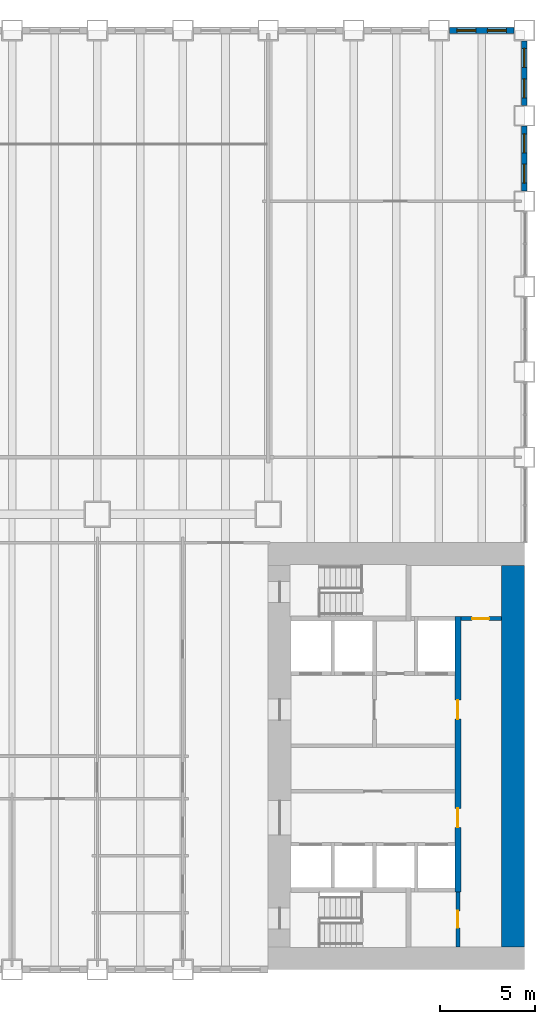
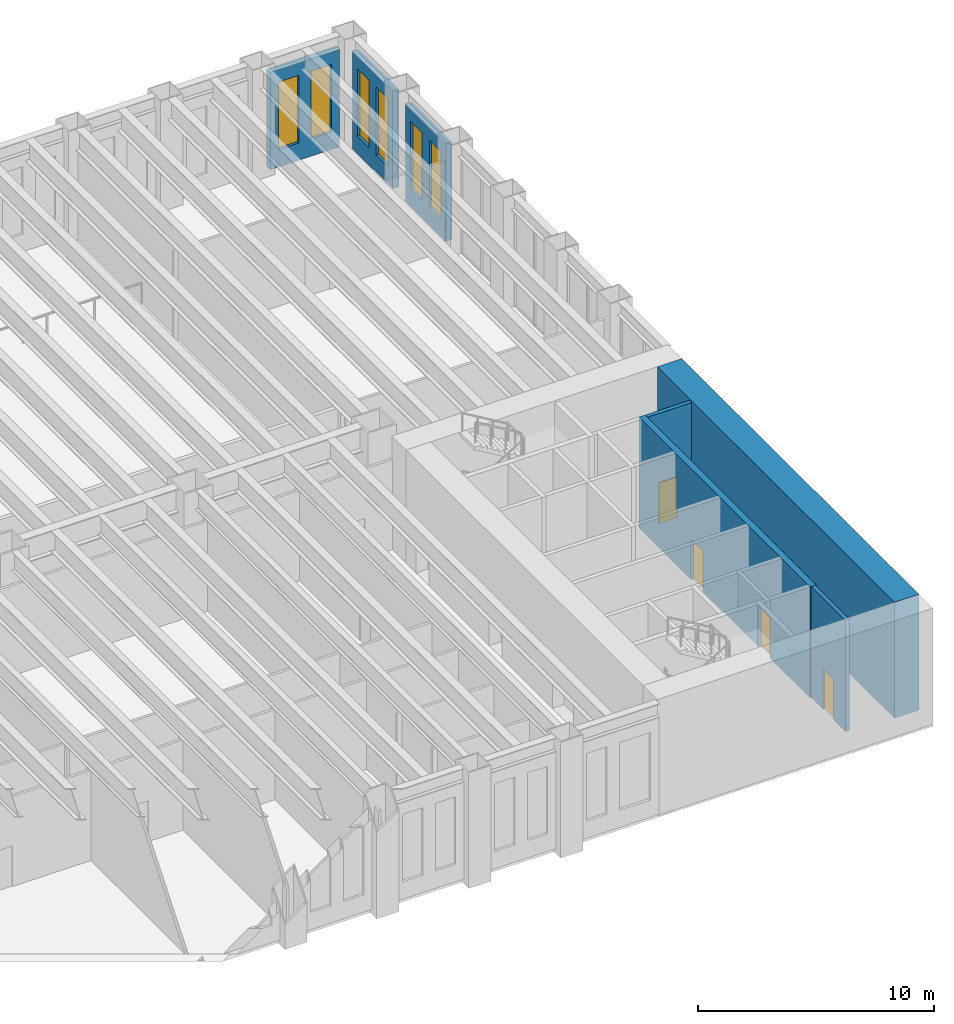
# One storey, part 14 of 19: 7 walls, 6 windows, 4 doors, 10 openings.
"""IFC4 building model written with IfcOpenShell, lengths in metres."""

import ifcopenshell
import ifcopenshell.guid

model = None  # the IFC model being written
_history = None  # IfcOwnerHistory: only IFC2X3 demands one
_inside = {}  # id of a spatial element -> (the spatial element, [elements in it])
_under = {}  # id of a project, library or spatial element -> (it, [spatial elements below it])
_declared = {}  # id of a project -> (the project, [libraries it declares])
_typed = {}  # id of a type object -> (the type object, [elements of that type])
_made_of = {}  # id of a material, layer set ... -> (it, [elements and type objects made of it])


def new_model(schema):
    """Start an empty IFC model of exactly this schema.

    Asked for "IFC4X3", IfcOpenShell would pick the latest addendum, in which some entities
    have other attributes; the version numbers below select the first issue.
    IFC2X3 requires an IfcOwnerHistory on every rooted entity: one is made here for all.
    """
    global model, _history
    if schema == "IFC4X3":
        model = ifcopenshell.file(schema_version=(4, 3, 0, 0))
    else:
        model = ifcopenshell.file(schema=schema)
    _inside.clear()
    _under.clear()
    _declared.clear()
    _typed.clear()
    _made_of.clear()
    _history = None
    if model.schema == "IFC2X3":
        org = make("IfcOrganization", Name="unknown")
        user = make(
            "IfcPersonAndOrganization",
            ThePerson=make("IfcPerson", FamilyName="unknown"),
            TheOrganization=org,
        )
        app = make(
            "IfcApplication",
            ApplicationDeveloper=org,
            Version="unknown",
            ApplicationFullName="unknown",
            ApplicationIdentifier="unknown",
        )
        _history = make(
            "IfcOwnerHistory",
            OwningUser=user,
            OwningApplication=app,
            ChangeAction="ADDED",
            CreationDate=0,
        )
    return model


def make(cls, **values):
    """One entity of the class cls with the attributes given. An attribute that is None is left unset."""
    return model.create_entity(
        cls, **{name: value for name, value in values.items() if value is not None}
    )


def rooted(cls, **values):
    """An entity with a GlobalId (a new one), such as an element, a storey or a relation."""
    return make(cls, GlobalId=ifcopenshell.guid.new(), OwnerHistory=_history, **values)


def si_unit(unit_type, name, prefix=None):
    """IfcSIUnit, for example si_unit("LENGTHUNIT", "METRE", prefix="MILLI")."""
    return make("IfcSIUnit", UnitType=unit_type, Prefix=prefix, Name=name)


def assignment(units):
    """IfcUnitAssignment: the units of a project."""
    return None if units is None else make("IfcUnitAssignment", Units=units)


def point(xyz):
    """IfcCartesianPoint."""
    return None if xyz is None else make("IfcCartesianPoint", Coordinates=xyz)


def direction(xyz):
    """IfcDirection."""
    return None if xyz is None else make("IfcDirection", DirectionRatios=xyz)


def frame(location, z_axis=None, x_axis=None):
    """IfcAxis2Placement3D, a coordinate frame: its origin and axes. An axis left out is left unset."""
    return make(
        "IfcAxis2Placement3D",
        Location=point(location),
        Axis=direction(z_axis),
        RefDirection=direction(x_axis),
    )


def frame_2d(location, x_axis=None):
    """IfcAxis2Placement2D, a coordinate frame in the plane: its origin and x axis."""
    return make(
        "IfcAxis2Placement2D", Location=point(location), RefDirection=direction(x_axis)
    )


def origin():
    """The frame at (0, 0, 0) with its axes left unset."""
    return frame((0.0, 0.0, 0.0))


def place(relative_to, where):
    """IfcLocalPlacement: puts the frame where relative to a parent placement (None: the world)."""
    return make(
        "IfcLocalPlacement", PlacementRelTo=relative_to, RelativePlacement=where
    )


def context(
    kind, dimensions, precision=None, world=None, true_north=None, identifier=None
):
    """IfcGeometricRepresentationContext, for example the 3D "Model" context."""
    return make(
        "IfcGeometricRepresentationContext",
        ContextIdentifier=identifier,
        ContextType=kind,
        CoordinateSpaceDimension=dimensions,
        Precision=precision,
        WorldCoordinateSystem=world,
        TrueNorth=true_north,
    )


def subcontext(parent, identifier, kind, view, scale=None):
    """IfcGeometricRepresentationSubContext, for example "Body" below "Model"."""
    return make(
        "IfcGeometricRepresentationSubContext",
        ContextIdentifier=identifier,
        ContextType=kind,
        ParentContext=parent,
        TargetScale=scale,
        TargetView=view,
    )


def project(units=None, contexts=None):
    """IfcProject with its units and contexts."""
    return rooted(
        "IfcProject",
        Name="project",
        RepresentationContexts=contexts,
        UnitsInContext=assignment(units),
    )


def spatial(cls, under=None, at=None, **own):
    """A site, building, storey or space (cls), placed at a placement, below another one or the project."""
    s = rooted(cls, ObjectPlacement=at, **own)
    if under is not None:
        _under.setdefault(under.id(), (under, []))[1].append(s)
    return s


def profile(cls, at=None, kind="AREA", **sizes):
    """A parametric profile (cls). Its sizes go by their IFC names, for example OverallWidth=200.0."""
    return make(cls, ProfileType=kind, Position=at, **sizes)


def rectangle(**sizes):
    """IfcRectangleProfileDef."""
    return profile("IfcRectangleProfileDef", **sizes)


def extrude(swept, where, along, depth):
    """IfcExtrudedAreaSolid: the profile swept, set in the frame where, extruded along a direction by depth."""
    return make(
        "IfcExtrudedAreaSolid",
        SweptArea=swept,
        Position=where,
        ExtrudedDirection=direction(along),
        Depth=depth,
    )


def shape(context_of_items, identifier, shape_type, items):
    """IfcShapeRepresentation: the items that make up one representation, for example the "Body"."""
    return make(
        "IfcShapeRepresentation",
        ContextOfItems=context_of_items,
        RepresentationIdentifier=identifier,
        RepresentationType=shape_type,
        Items=items,
    )


def material(Name=None, Category=None):
    """IfcMaterial."""
    return make("IfcMaterial", Name=Name, Category=Category)


def layer(
    of_material, thickness, ventilated=None, Name=None, Category=None, Priority=None
):
    """IfcMaterialLayer: one layer of a wall or slab, of a material (None: an air gap)."""
    return make(
        "IfcMaterialLayer",
        Material=of_material,
        LayerThickness=thickness,
        IsVentilated=ventilated,
        Name=Name,
        Category=Category,
        Priority=Priority,
    )


def layer_set(layers, Name=None):
    """IfcMaterialLayerSet."""
    return make("IfcMaterialLayerSet", MaterialLayers=layers, LayerSetName=Name)


def made_of(thing, what):
    """Note that an element or type object is made of a material, layer set ...; save() writes the relation."""
    if what is not None:
        _made_of.setdefault(what.id(), (what, []))[1].append(thing)
    return thing


def type_object(cls, material=None, **own):
    """A type object (cls), such as IfcWallType, which elements share."""
    return made_of(rooted(cls, **own), material)


def element(
    cls,
    number,
    at=None,
    inside=None,
    cuts=None,
    type_object=None,
    material=None,
    context=None,
    identifier="Body",
    shape_type=None,
    held_by="IfcProductDefinitionShape",
    body=None,
    shapes=None,
    **own,
):
    """One element of the class cls, such as IfcWall. Its Tag is "e" and its number.

    at: its placement. inside: the storey or other place that contains it. cuts: it is an
    opening in that element (IfcRelVoidsElement). A single representation is given by context,
    identifier, shape_type and body (its items); several are given by shapes. held_by: the class
    of the entity that holds the representations. save() writes the other relations.
    """
    e = rooted(cls, Tag="e%d" % number, ObjectPlacement=at, **own)
    if body is not None:
        shapes = [shape(context, identifier, shape_type, body)]
    if shapes is not None:
        e.Representation = make(held_by, Representations=shapes)
    if inside is not None:
        _inside.setdefault(inside.id(), (inside, []))[1].append(e)
    if cuts is not None:
        rooted(
            "IfcRelVoidsElement", RelatingBuildingElement=cuts, RelatedOpeningElement=e
        )
    if type_object is not None:
        _typed.setdefault(type_object.id(), (type_object, []))[1].append(e)
    return made_of(e, material)


def fill(opening, filler):
    """IfcRelFillsElement: the door or window that sits in an opening."""
    return rooted(
        "IfcRelFillsElement",
        RelatingOpeningElement=opening,
        RelatedBuildingElement=filler,
    )


def aggregate(whole, parts):
    """IfcRelAggregates: a whole, such as a stair, and the parts it consists of."""
    return rooted("IfcRelAggregates", RelatingObject=whole, RelatedObjects=parts)


def save(model, path):
    """Write the relations noted so far, then the file.

    IfcRelAggregates (storeys below a building ...), IfcRelContainedInSpatialStructure (elements
    in a storey), IfcRelDefinesByType, IfcRelAssociatesMaterial and IfcRelDeclares: one each for
    every whole, place, type object, material and project.
    """
    for whole, parts in _under.values():
        aggregate(whole, parts)
    for where, things in _inside.values():
        rooted(
            "IfcRelContainedInSpatialStructure",
            RelatedElements=things,
            RelatingStructure=where,
        )
    for kind, things in _typed.values():
        rooted("IfcRelDefinesByType", RelatedObjects=things, RelatingType=kind)
    for what, things in _made_of.values():
        rooted("IfcRelAssociatesMaterial", RelatedObjects=things, RelatingMaterial=what)
    for by, libraries in _declared.values():
        rooted("IfcRelDeclares", RelatingContext=by, RelatedDefinitions=libraries)
    model.write(path)


model = new_model("IFC4")

# Units and contexts
model_context = context("Model", 3, precision=1e-05, world=origin(), true_north=direction((0.0, 1.0)))
body_context = subcontext(model_context, "Body", "Model", "MODEL_VIEW")
ifc_project = project(units=[si_unit("LENGTHUNIT", "METRE"), si_unit("AREAUNIT", "SQUARE_METRE"), si_unit("VOLUMEUNIT", "CUBIC_METRE"), si_unit("PLANEANGLEUNIT", "RADIAN"), si_unit("MASSUNIT", "GRAM", prefix="KILO")], contexts=[model_context])

# Site, building, storey
site_placement = place(None, origin())
site = spatial("IfcSite", under=ifc_project, at=site_placement, CompositionType="ELEMENT")
building_placement = place(site_placement, origin())
building = spatial("IfcBuilding", under=site, at=building_placement, Name="Sennacour Bend Tower", CompositionType="ELEMENT")
storey_placement = place(building_placement, frame((0.0, 0.0, 8.0)))
storey = spatial("IfcBuildingStorey", under=building, at=storey_placement, Name="L01", CompositionType="ELEMENT", Elevation=8.0)

# Wall
ifc_material_1 = material(Name="Concrete C80/95", Category="concrete")
ifc_layer_1 = layer(ifc_material_1, 1.199951171875, Name="Concrete C80/95", Category="concrete")
ifc_layer_set_1 = layer_set([ifc_layer_1], Name="Concrete C80/95")
wall_type_1 = type_object("IfcWallType", Name="Core wall 1200 C80/95", PredefinedType="SHEAR", material=ifc_layer_set_1)
wall_1_placement = place(storey_placement, frame((66.89990234375, 1.199951171875, -0.14990234375), z_axis=(0.0, 0.0, 1.0), x_axis=(0.0, 1.0, 0.0)))
element("IfcWall", 1, at=wall_1_placement, inside=storey, type_object=wall_type_1, Name="Core A wall L01 E", PredefinedType="SHEAR", context=body_context, shape_type="SweptSolid", body=[
    extrude(rectangle(XDim=20.10009765625, YDim=1.199951171875, at=frame_2d((10.050048828125, 0.0))), origin(), (0.0, 0.0, 1.0), 6.0),
])

# Wall, opening, door
ifc_material_2 = material(Name="Fire-rated plasterboard partition on steel studs", Category="steel")
ifc_layer_2 = layer(ifc_material_2, 0.199951171875, Name="Fire-rated plasterboard partition on steel studs", Category="steel")
ifc_layer_set_2 = layer_set([ifc_layer_2], Name="Fire-rated plasterboard partition on steel studs")
wall_type_2 = type_object("IfcWallType", Name="Rated partition 200", PredefinedType="PARTITIONING", material=ifc_layer_set_2)
wall_2_placement = place(storey_placement, frame((64.0, 1.199951171875, 0.0), z_axis=(0.0, 0.0, 1.0), x_axis=(0.0, 1.0, 0.0)))
wall_2 = element("IfcWall", 2, at=wall_2_placement, inside=storey, type_object=wall_type_2, Name="P-L01-W039", PredefinedType="PARTITIONING", context=body_context, shape_type="SweptSolid", body=[
    extrude(rectangle(XDim=2.900146484375, YDim=0.199951171875, at=frame_2d((1.4501953125, 0.0))), origin(), (0.0, 0.0, 1.0), 5.75),
])
opening_1_placement = place(wall_2_placement, frame((1.0, 0.0, 0.0)))
opening_1 = element("IfcOpeningElement", 3, at=opening_1_placement, cuts=wall_2, Name="Opening SV", PredefinedType="OPENING", context=body_context, shape_type="SweptSolid", body=[
    extrude(rectangle(XDim=0.89990234375, YDim=2.10009765625, at=frame_2d((0.449951171875, 1.050048828125))), frame((0.0, 0.10986328125, 0.0), z_axis=(0.0, -1.0, 0.0), x_axis=(1.0, 0.0, 0.0)), (0.0, 0.0, 1.0), 0.219970703125),
])
ifc_material_3 = material(Name="Painted steel", Category="steel")
door_type_1 = type_object("IfcDoorType", Name="DR-SERVICE-900", OperationType="NOTDEFINED", PredefinedType="DOOR", material=ifc_material_3)
door_1_placement = place(opening_1_placement, origin())
door_1 = element("IfcDoor", 4, at=door_1_placement, inside=storey, type_object=door_type_1, Name="Door", OperationType="SINGLE_SWING_LEFT", OverallHeight=2.10009765625, OverallWidth=0.89990234375, PredefinedType="DOOR", context=body_context, shape_type="SweptSolid", body=[
    extrude(rectangle(XDim=0.89990234375, YDim=2.10009765625, at=frame_2d((0.449951171875, 1.050048828125))), frame((0.0, 0.02490234375, 0.0), z_axis=(0.0, -1.0, 0.0), x_axis=(1.0, 0.0, 0.0)), (0.0, 0.0, 1.0), 0.050048828125),
])
fill(opening_1, door_1)

wall_3_placement = place(storey_placement, frame((64.14990234375, 18.5, 0.0), z_axis=(0.0, 0.0, 1.0), x_axis=(1.0, 0.0, 0.0)))
wall_3 = element("IfcWall", 5, at=wall_3_placement, inside=storey, type_object=wall_type_2, Name="P-L01-W061", PredefinedType="PARTITIONING", context=body_context, shape_type="SweptSolid", body=[
    extrude(rectangle(XDim=2.150146484375, YDim=0.199951171875, at=frame_2d((1.0751953125, 0.0))), origin(), (0.0, 0.0, 1.0), 5.75),
])
opening_2_placement = place(wall_3_placement, frame((0.60009765625, 0.0, 0.0)))
opening_2 = element("IfcOpeningElement", 6, at=opening_2_placement, cuts=wall_3, Name="Opening SV", PredefinedType="OPENING", context=body_context, shape_type="SweptSolid", body=[
    extrude(rectangle(XDim=0.89990234375, YDim=2.10009765625, at=frame_2d((0.449951171875, 1.050048828125))), frame((0.0, 0.10986328125, 0.0), z_axis=(0.0, -1.0, 0.0), x_axis=(1.0, 0.0, 0.0)), (0.0, 0.0, 1.0), 0.219970703125),
])
door_2_placement = place(opening_2_placement, origin())
door_2 = element("IfcDoor", 7, at=door_2_placement, inside=storey, type_object=door_type_1, Name="Door", OperationType="SINGLE_SWING_LEFT", OverallHeight=2.10009765625, OverallWidth=0.89990234375, PredefinedType="DOOR", context=body_context, shape_type="SweptSolid", body=[
    extrude(rectangle(XDim=0.89990234375, YDim=2.10009765625, at=frame_2d((0.449951171875, 1.050048828125))), frame((0.0, 0.02490234375, 0.0), z_axis=(0.0, -1.0, 0.0), x_axis=(1.0, 0.0, 0.0)), (0.0, 0.0, 1.0), 0.050048828125),
])
fill(opening_2, door_2)

# Wall, openings, windows
ifc_material_4 = material(Name="Warm limestone cladding", Category="masonry")
ifc_layer_3 = layer(ifc_material_4, 0.050048828125, Name="Warm limestone cladding", Category="masonry")
ifc_material_5 = material(Name="Precast concrete C40/50", Category="concrete")
ifc_layer_4 = layer(ifc_material_5, 0.25, Name="Precast concrete C40/50", Category="concrete")
ifc_layer_set_3 = layer_set([ifc_layer_3, ifc_layer_4], Name="Precast concrete C40/50 with limestone cladding")
wall_type_3 = type_object("IfcWallType", Name="STONE-CLAD PRECAST SPANDREL 300", PredefinedType="STANDARD", material=ifc_layer_set_3)
wall_4_placement = place(storey_placement, frame((67.5, 41.050048828125, 0.0), z_axis=(0.0, 0.0, 1.0), x_axis=(0.0, 1.0, 0.0)))
wall_4 = element("IfcWall", 8, at=wall_4_placement, inside=storey, type_object=wall_type_3, Name="Stone spandrel and pier wall L01 00.04", PredefinedType="STANDARD", context=body_context, shape_type="SweptSolid", body=[
    extrude(rectangle(XDim=3.39990234375, YDim=0.300048828125, at=frame_2d((1.699951171875, 0.0))), origin(), (0.0, 0.0, 1.0), 5.035888671875),
])
opening_3_placement = place(wall_4_placement, frame((0.39990234375, 0.0, 0.89990234375)))
opening_3 = element("IfcOpeningElement", 9, at=opening_3_placement, cuts=wall_4, Name="Opening W1", PredefinedType="OPENING", context=body_context, shape_type="SweptSolid", body=[
    extrude(rectangle(XDim=1.0, YDim=3.5, at=frame_2d((0.5, 1.75))), frame((0.0, 0.16015625, 0.0), z_axis=(0.0, -1.0, 0.0), x_axis=(1.0, 0.0, 0.0)), (0.0, 0.0, 1.0), 0.320068359375),
])
opening_4_placement = place(wall_4_placement, frame((2.0, 0.0, 0.89990234375)))
opening_4 = element("IfcOpeningElement", 10, at=opening_4_placement, cuts=wall_4, Name="Opening W1", PredefinedType="OPENING", context=body_context, shape_type="SweptSolid", body=[
    extrude(rectangle(XDim=1.0, YDim=3.5, at=frame_2d((0.5, 1.75))), frame((0.0, 0.16015625, 0.0), z_axis=(0.0, -1.0, 0.0), x_axis=(1.0, 0.0, 0.0)), (0.0, 0.0, 1.0), 0.320068359375),
])
ifc_material_6 = material(Name="Clear low-emissivity glass", Category="glass")
window_type = type_object("IfcWindowType", Name="WIN-RIBBON-1000x3500", PartitioningType="SINGLE_PANEL", PredefinedType="WINDOW", material=ifc_material_6)
window_1_placement = place(opening_3_placement, origin())
window_1 = element("IfcWindow", 11, at=window_1_placement, inside=storey, type_object=window_type, Name="Ribbon window L01 00.04.0", OverallHeight=3.5, OverallWidth=1.0, PartitioningType="SINGLE_PANEL", PredefinedType="WINDOW", context=body_context, shape_type="SweptSolid", body=[
    extrude(rectangle(XDim=1.0, YDim=3.5, at=frame_2d((0.5, 1.75))), frame((0.0, 0.030029296875, 0.0), z_axis=(0.0, -1.0, 0.0), x_axis=(1.0, 0.0, 0.0)), (0.0, 0.0, 1.0), 0.06005859375),
])
fill(opening_3, window_1)
window_2_placement = place(opening_4_placement, origin())
window_2 = element("IfcWindow", 12, at=window_2_placement, inside=storey, type_object=window_type, Name="Ribbon window L01 00.04.1", OverallHeight=3.5, OverallWidth=1.0, PartitioningType="SINGLE_PANEL", PredefinedType="WINDOW", context=body_context, shape_type="SweptSolid", body=[
    extrude(rectangle(XDim=1.0, YDim=3.5, at=frame_2d((0.5, 1.75))), frame((0.0, 0.030029296875, 0.0), z_axis=(0.0, -1.0, 0.0), x_axis=(1.0, 0.0, 0.0)), (0.0, 0.0, 1.0), 0.06005859375),
])
fill(opening_4, window_2)

wall_5_placement = place(storey_placement, frame((67.5, 45.550048828125, 0.0), z_axis=(0.0, 0.0, 1.0), x_axis=(0.0, 1.0, 0.0)))
wall_5 = element("IfcWall", 13, at=wall_5_placement, inside=storey, type_object=wall_type_3, Name="Stone spandrel and pier wall L01 00.05", PredefinedType="STANDARD", context=body_context, shape_type="SweptSolid", body=[
    extrude(rectangle(XDim=3.39990234375, YDim=0.300048828125, at=frame_2d((1.699951171875, 0.0))), origin(), (0.0, 0.0, 1.0), 5.035888671875),
])
opening_5_placement = place(wall_5_placement, frame((0.39990234375, 0.0, 0.89990234375)))
opening_5 = element("IfcOpeningElement", 14, at=opening_5_placement, cuts=wall_5, Name="Opening W1", PredefinedType="OPENING", context=body_context, shape_type="SweptSolid", body=[
    extrude(rectangle(XDim=1.0, YDim=3.5, at=frame_2d((0.5, 1.75))), frame((0.0, 0.16015625, 0.0), z_axis=(0.0, -1.0, 0.0), x_axis=(1.0, 0.0, 0.0)), (0.0, 0.0, 1.0), 0.320068359375),
])
opening_6_placement = place(wall_5_placement, frame((2.0, 0.0, 0.89990234375)))
opening_6 = element("IfcOpeningElement", 15, at=opening_6_placement, cuts=wall_5, Name="Opening W1", PredefinedType="OPENING", context=body_context, shape_type="SweptSolid", body=[
    extrude(rectangle(XDim=1.0, YDim=3.5, at=frame_2d((0.5, 1.75))), frame((0.0, 0.16015625, 0.0), z_axis=(0.0, -1.0, 0.0), x_axis=(1.0, 0.0, 0.0)), (0.0, 0.0, 1.0), 0.320068359375),
])
window_3_placement = place(opening_5_placement, origin())
window_3 = element("IfcWindow", 16, at=window_3_placement, inside=storey, type_object=window_type, Name="Ribbon window L01 00.05.0", OverallHeight=3.5, OverallWidth=1.0, PartitioningType="SINGLE_PANEL", PredefinedType="WINDOW", context=body_context, shape_type="SweptSolid", body=[
    extrude(rectangle(XDim=1.0, YDim=3.5, at=frame_2d((0.5, 1.75))), frame((0.0, 0.030029296875, 0.0), z_axis=(0.0, -1.0, 0.0), x_axis=(1.0, 0.0, 0.0)), (0.0, 0.0, 1.0), 0.06005859375),
])
fill(opening_5, window_3)
window_4_placement = place(opening_6_placement, origin())
window_4 = element("IfcWindow", 17, at=window_4_placement, inside=storey, type_object=window_type, Name="Ribbon window L01 00.05.1", OverallHeight=3.5, OverallWidth=1.0, PartitioningType="SINGLE_PANEL", PredefinedType="WINDOW", context=body_context, shape_type="SweptSolid", body=[
    extrude(rectangle(XDim=1.0, YDim=3.5, at=frame_2d((0.5, 1.75))), frame((0.0, 0.030029296875, 0.0), z_axis=(0.0, -1.0, 0.0), x_axis=(1.0, 0.0, 0.0)), (0.0, 0.0, 1.0), 0.06005859375),
])
fill(opening_6, window_4)

wall_6_placement = place(storey_placement, frame((66.949951171875, 49.5, 0.0), z_axis=(0.0, 0.0, 1.0), x_axis=(-1.0, 0.0, 0.0)))
wall_6 = element("IfcWall", 18, at=wall_6_placement, inside=storey, type_object=wall_type_3, Name="Stone spandrel and pier wall L01 01.00", PredefinedType="STANDARD", context=body_context, shape_type="SweptSolid", body=[
    extrude(rectangle(XDim=3.39990234375, YDim=0.300048828125, at=frame_2d((1.699951171875, 0.0))), origin(), (0.0, 0.0, 1.0), 5.035888671875),
])
opening_7_placement = place(wall_6_placement, frame((0.39990234375, 0.0, 0.89990234375)))
opening_7 = element("IfcOpeningElement", 19, at=opening_7_placement, cuts=wall_6, Name="Opening W1", PredefinedType="OPENING", context=body_context, shape_type="SweptSolid", body=[
    extrude(rectangle(XDim=1.0, YDim=3.5, at=frame_2d((0.5, 1.75))), frame((0.0, 0.16015625, 0.0), z_axis=(0.0, -1.0, 0.0), x_axis=(1.0, 0.0, 0.0)), (0.0, 0.0, 1.0), 0.320068359375),
])
opening_8_placement = place(wall_6_placement, frame((2.0, 0.0, 0.89990234375)))
opening_8 = element("IfcOpeningElement", 20, at=opening_8_placement, cuts=wall_6, Name="Opening W1", PredefinedType="OPENING", context=body_context, shape_type="SweptSolid", body=[
    extrude(rectangle(XDim=1.0, YDim=3.5, at=frame_2d((0.5, 1.75))), frame((0.0, 0.16015625, 0.0), z_axis=(0.0, -1.0, 0.0), x_axis=(1.0, 0.0, 0.0)), (0.0, 0.0, 1.0), 0.320068359375),
])
window_5_placement = place(opening_7_placement, origin())
window_5 = element("IfcWindow", 21, at=window_5_placement, inside=storey, type_object=window_type, Name="Ribbon window L01 01.00.0", OverallHeight=3.5, OverallWidth=1.0, PartitioningType="SINGLE_PANEL", PredefinedType="WINDOW", context=body_context, shape_type="SweptSolid", body=[
    extrude(rectangle(XDim=1.0, YDim=3.5, at=frame_2d((0.5, 1.75))), frame((0.0, 0.030029296875, 0.0), z_axis=(0.0, -1.0, 0.0), x_axis=(1.0, 0.0, 0.0)), (0.0, 0.0, 1.0), 0.06005859375),
])
fill(opening_7, window_5)
window_6_placement = place(opening_8_placement, origin())
window_6 = element("IfcWindow", 22, at=window_6_placement, inside=storey, type_object=window_type, Name="Ribbon window L01 01.00.1", OverallHeight=3.5, OverallWidth=1.0, PartitioningType="SINGLE_PANEL", PredefinedType="WINDOW", context=body_context, shape_type="SweptSolid", body=[
    extrude(rectangle(XDim=1.0, YDim=3.5, at=frame_2d((0.5, 1.75))), frame((0.0, 0.030029296875, 0.0), z_axis=(0.0, -1.0, 0.0), x_axis=(1.0, 0.0, 0.0)), (0.0, 0.0, 1.0), 0.06005859375),
])
fill(opening_8, window_6)

# Wall, openings, doors
ifc_material_7 = material(Name="Concrete C60/75", Category="concrete")
ifc_layer_5 = layer(ifc_material_7, 0.300048828125, Name="Concrete C60/75", Category="concrete")
ifc_layer_set_4 = layer_set([ifc_layer_5], Name="Concrete C60/75")
wall_type_4 = type_object("IfcWallType", Name="Spine wall 300", PredefinedType="SHEAR", material=ifc_layer_set_4)
wall_7_placement = place(storey_placement, frame((64.0, 4.10009765625, 0.0), z_axis=(0.0, 0.0, 1.0), x_axis=(0.0, 1.0, 0.0)))
wall_7 = element("IfcWall", 23, at=wall_7_placement, inside=storey, type_object=wall_type_4, Name="P-L01-W040", PredefinedType="SHEAR", context=body_context, shape_type="SweptSolid", body=[
    extrude(rectangle(XDim=14.5, YDim=0.300048828125, at=frame_2d((7.25, 0.0))), origin(), (0.0, 0.0, 1.0), 5.75),
])
opening_9_placement = place(wall_7_placement, frame((3.39990234375, 0.0, 0.0)))
opening_9 = element("IfcOpeningElement", 24, at=opening_9_placement, cuts=wall_7, Name="Opening CD2", PredefinedType="OPENING", context=body_context, shape_type="SweptSolid", body=[
    extrude(rectangle(XDim=1.0, YDim=2.10009765625, at=frame_2d((0.5, 1.050048828125))), frame((0.0, 0.16015625, 0.0), z_axis=(0.0, -1.0, 0.0), x_axis=(1.0, 0.0, 0.0)), (0.0, 0.0, 1.0), 0.320068359375),
])
opening_10_placement = place(wall_7_placement, frame((9.099853515625, 0.0, 0.0)))
opening_10 = element("IfcOpeningElement", 25, at=opening_10_placement, cuts=wall_7, Name="Opening CD2", PredefinedType="OPENING", context=body_context, shape_type="SweptSolid", body=[
    extrude(rectangle(XDim=1.0, YDim=2.10009765625, at=frame_2d((0.5, 1.050048828125))), frame((0.0, 0.16015625, 0.0), z_axis=(0.0, -1.0, 0.0), x_axis=(1.0, 0.0, 0.0)), (0.0, 0.0, 1.0), 0.320068359375),
])
door_type_2 = type_object("IfcDoorType", Name="DR-LOBBY-1000", OperationType="NOTDEFINED", PredefinedType="DOOR", material=ifc_material_3)
door_3_placement = place(opening_9_placement, origin())
door_3 = element("IfcDoor", 26, at=door_3_placement, inside=storey, type_object=door_type_2, Name="Door", OperationType="SINGLE_SWING_LEFT", OverallHeight=2.10009765625, OverallWidth=1.0, PredefinedType="DOOR", context=body_context, shape_type="SweptSolid", body=[
    extrude(rectangle(XDim=1.0, YDim=2.10009765625, at=frame_2d((0.5, 1.050048828125))), frame((0.0, 0.02490234375, 0.0), z_axis=(0.0, -1.0, 0.0), x_axis=(1.0, 0.0, 0.0)), (0.0, 0.0, 1.0), 0.050048828125),
])
fill(opening_9, door_3)
door_4_placement = place(opening_10_placement, origin())
door_4 = element("IfcDoor", 27, at=door_4_placement, inside=storey, type_object=door_type_2, Name="Door", OperationType="SINGLE_SWING_RIGHT", OverallHeight=2.10009765625, OverallWidth=1.0, PredefinedType="DOOR", context=body_context, shape_type="SweptSolid", body=[
    extrude(rectangle(XDim=1.0, YDim=2.10009765625, at=frame_2d((0.5, 1.050048828125))), frame((0.0, 0.02490234375, 0.0), z_axis=(0.0, -1.0, 0.0), x_axis=(1.0, 0.0, 0.0)), (0.0, 0.0, 1.0), 0.050048828125),
])
fill(opening_10, door_4)

save(model, "model.ifc")
